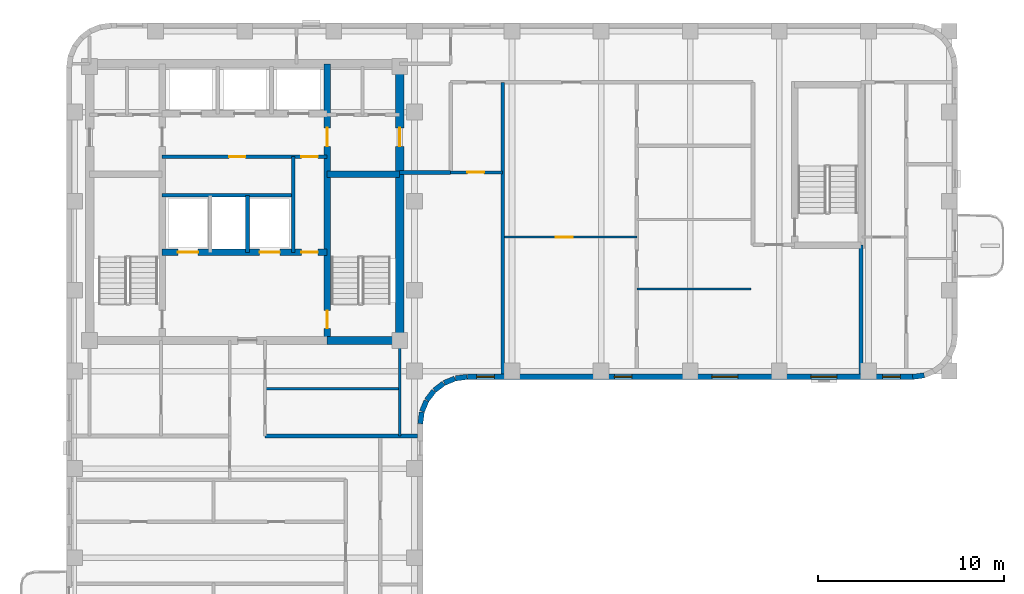
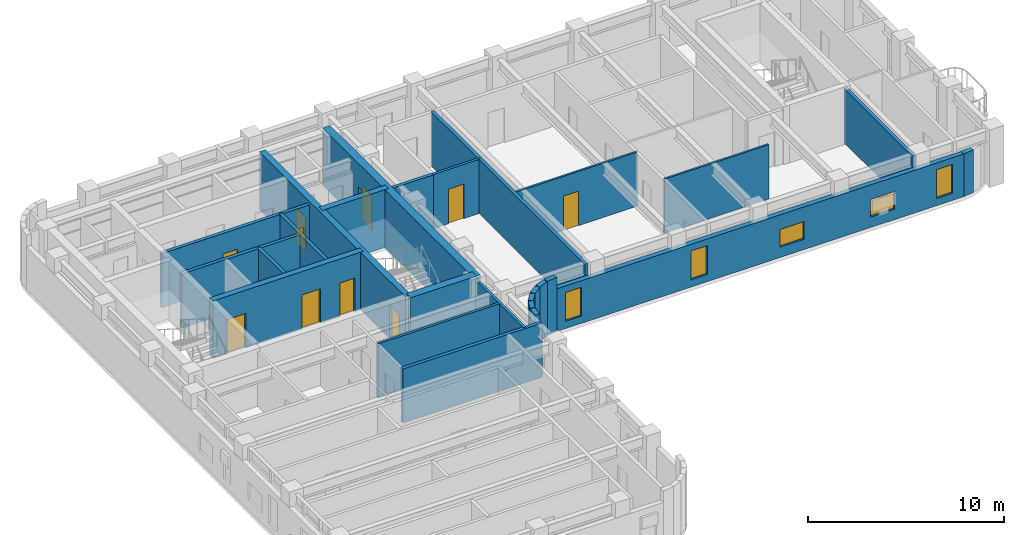
# One storey, part 4 of 10: 26 walls, 10 doors, 5 windows, 15 openings.
"""IFC4 building model written with IfcOpenShell, lengths in metres."""

from ifc_helpers import new_model, si_unit, direction, frame, frame_2d, origin, place, context, subcontext, project, spatial, rectangle, extrude, material, layer, layer_set, type_object, element, fill, save


model = new_model("IFC4")

# Units and contexts
model_context = context("Model", 3, precision=1e-05, world=origin(), true_north=direction((0.0, 1.0)))
body_context = subcontext(model_context, "Body", "Model", "MODEL_VIEW")
ifc_project = project(units=[si_unit("LENGTHUNIT", "METRE"), si_unit("AREAUNIT", "SQUARE_METRE"), si_unit("VOLUMEUNIT", "CUBIC_METRE"), si_unit("PLANEANGLEUNIT", "RADIAN"), si_unit("MASSUNIT", "GRAM", prefix="KILO")], contexts=[model_context])

# Site, building, storey
site_placement = place(None, origin())
site = spatial("IfcSite", under=ifc_project, at=site_placement, CompositionType="ELEMENT")
building_placement = place(site_placement, origin())
building = spatial("IfcBuilding", under=site, at=building_placement, Name="Orvandelia Arch Residences", CompositionType="ELEMENT")
storey_placement = place(building_placement, frame((0.0, 0.0, 232.60009765625)))
storey = spatial("IfcBuildingStorey", under=building, at=storey_placement, Name="L61", CompositionType="ELEMENT", Elevation=232.60009765625)

# Wall, openings, doors
ifc_material_1 = material(Name="Concrete C50/60", Category="concrete")
ifc_layer_1 = layer(ifc_material_1, 0.35009765625, Name="Concrete C50/60", Category="concrete")
ifc_layer_set_1 = layer_set([ifc_layer_1], Name="Concrete C50/60")
wall_type_1 = type_object("IfcWallType", Name="WL-CORE-350", PredefinedType="SHEAR", material=ifc_layer_set_1)
wall_1_placement = place(storey_placement, frame((18.840087890625, 30.89990234375, 0.0), z_axis=(0.0, 0.0, 1.0), x_axis=(0.0, 1.0, 0.0)))
wall_1 = element("IfcWall", 1, at=wall_1_placement, inside=storey, type_object=wall_type_1, Name="Core Shear Wall L61-WEB2", PredefinedType="SHEAR", context=body_context, shape_type="SweptSolid", body=[
    extrude(rectangle(XDim=14.900146484375, YDim=0.35009765625, at=frame_2d((7.4501953125, 0.0))), origin(), (0.0, 0.0, 1.0), 3.599853515625),
])
opening_1_placement = place(wall_1_placement, frame((0.64990234375, 0.0, 0.0)))
opening_1 = element("IfcOpeningElement", 2, at=opening_1_placement, cuts=wall_1, Name="Opening D7", PredefinedType="OPENING", context=body_context, shape_type="SweptSolid", body=[
    extrude(rectangle(XDim=0.949951171875, YDim=2.10009765625, at=frame_2d((0.47509765625, 1.050048828125))), frame((0.0, 0.18505859375, 0.0), z_axis=(0.0, -1.0, 0.0), x_axis=(1.0, 0.0, 0.0)), (0.0, 0.0, 1.0), 0.3701171875),
])
opening_2_placement = place(wall_1_placement, frame((10.449951171875, 0.0, 0.0)))
opening_2 = element("IfcOpeningElement", 3, at=opening_2_placement, cuts=wall_1, Name="Opening D6", PredefinedType="OPENING", context=body_context, shape_type="SweptSolid", body=[
    extrude(rectangle(XDim=1.0, YDim=2.14990234375, at=frame_2d((0.5, 1.074951171875))), frame((0.0, 0.18505859375, 0.0), z_axis=(0.0, -1.0, 0.0), x_axis=(1.0, 0.0, 0.0)), (0.0, 0.0, 1.0), 0.3701171875),
])
ifc_material_2 = material(Name="Smokeproof Painted Steel Fire Door", Category="steel")
door_type_1 = type_object("IfcDoorType", Name="DR-FD60-1000", OperationType="NOTDEFINED", PredefinedType="DOOR", material=ifc_material_2)
door_1_placement = place(opening_2_placement, origin())
door_1 = element("IfcDoor", 4, at=door_1_placement, inside=storey, type_object=door_type_1, Name="High-Rise Lift Hall East Vestibule Door L61", OperationType="SINGLE_SWING_RIGHT", OverallHeight=2.14990234375, OverallWidth=1.0, PredefinedType="DOOR", context=body_context, shape_type="SweptSolid", body=[
    extrude(rectangle(XDim=1.0, YDim=2.14990234375, at=frame_2d((0.5, 1.074951171875))), frame((0.0, 0.02490234375, 0.0), z_axis=(0.0, -1.0, 0.0), x_axis=(1.0, 0.0, 0.0)), (0.0, 0.0, 1.0), 0.050048828125),
])
fill(opening_2, door_1)
ifc_material_3 = material(Name="Pressurised Stairwell Fire Door")
door_type_2 = type_object("IfcDoorType", Name="DR-STAIR-950", OperationType="NOTDEFINED", PredefinedType="DOOR", material=ifc_material_3)
door_2_placement = place(opening_1_placement, origin())
door_2 = element("IfcDoor", 5, at=door_2_placement, inside=storey, type_object=door_type_2, Name="Stairwell ST-2 Fire Door L61", OperationType="SINGLE_SWING_RIGHT", OverallHeight=2.10009765625, OverallWidth=0.949951171875, PredefinedType="DOOR", context=body_context, shape_type="SweptSolid", body=[
    extrude(rectangle(XDim=0.949951171875, YDim=2.10009765625, at=frame_2d((0.47509765625, 1.050048828125))), frame((0.0, 0.02490234375, 0.0), z_axis=(0.0, -1.0, 0.0), x_axis=(1.0, 0.0, 0.0)), (0.0, 0.0, 1.0), 0.050048828125),
])
fill(opening_1, door_2)

# Wall
wall_2_placement = place(storey_placement, frame((18.840087890625, 39.85009765625, 0.0), z_axis=(0.0, 0.0, 1.0), x_axis=(1.0, 0.0, 0.0)))
element("IfcWall", 6, at=wall_2_placement, inside=storey, type_object=wall_type_1, Name="Core Shear Wall L61-HZ2", PredefinedType="SHEAR", context=body_context, shape_type="SweptSolid", body=[
    extrude(rectangle(XDim=3.909912109375, YDim=0.35009765625, at=frame_2d((1.955078125, 0.0))), origin(), (0.0, 0.0, 1.0), 3.599853515625),
])

# Wall, openings, doors
wall_3_placement = place(storey_placement, frame((9.9599609375, 35.64990234375, 0.0), z_axis=(0.0, 0.0, 1.0), x_axis=(1.0, 0.0, 0.0)))
wall_3 = element("IfcWall", 7, at=wall_3_placement, inside=storey, type_object=wall_type_1, Name="Core Shear Wall L61-HZ3", PredefinedType="SHEAR", context=body_context, shape_type="SweptSolid", body=[
    extrude(rectangle(XDim=8.880126953125, YDim=0.35009765625, at=frame_2d((4.43994140625, 0.0))), origin(), (0.0, 0.0, 1.0), 3.599853515625),
])
opening_3_placement = place(wall_3_placement, frame((0.840087890625, 0.0, 0.0)))
opening_3 = element("IfcOpeningElement", 8, at=opening_3_placement, cuts=wall_3, Name="Opening FLD", PredefinedType="OPENING", context=body_context, shape_type="SweptSolid", body=[
    extrude(rectangle(XDim=1.10009765625, YDim=2.14990234375, at=frame_2d((0.550048828125, 1.074951171875))), frame((0.0, 0.18505859375, 0.0), z_axis=(0.0, -1.0, 0.0), x_axis=(1.0, 0.0, 0.0)), (0.0, 0.0, 1.0), 0.3701171875),
])
opening_4_placement = place(wall_3_placement, frame((5.239990234375, 0.0, 0.0)))
opening_4 = element("IfcOpeningElement", 9, at=opening_4_placement, cuts=wall_3, Name="Opening FLD", PredefinedType="OPENING", context=body_context, shape_type="SweptSolid", body=[
    extrude(rectangle(XDim=1.10009765625, YDim=2.14990234375, at=frame_2d((0.550048828125, 1.074951171875))), frame((0.0, 0.18505859375, 0.0), z_axis=(0.0, -1.0, 0.0), x_axis=(1.0, 0.0, 0.0)), (0.0, 0.0, 1.0), 0.3701171875),
])
opening_5_placement = place(wall_3_placement, frame((7.5, 0.0, 0.0)))
opening_5 = element("IfcOpeningElement", 10, at=opening_5_placement, cuts=wall_3, Name="Opening D5", PredefinedType="OPENING", context=body_context, shape_type="SweptSolid", body=[
    extrude(rectangle(XDim=0.8798828125, YDim=2.10009765625, at=frame_2d((0.43994140625, 1.050048828125))), frame((0.0, 0.18505859375, 0.0), z_axis=(0.0, -1.0, 0.0), x_axis=(1.0, 0.0, 0.0)), (0.0, 0.0, 1.0), 0.3701171875),
])
ifc_material_4 = material(Name="Firefighting Lift Stainless Sliding Door")
door_type_3 = type_object("IfcDoorType", Name="DR-FLFT-1100", OperationType="NOTDEFINED", PredefinedType="DOOR", material=ifc_material_4)
door_3_placement = place(opening_3_placement, origin())
door_3 = element("IfcDoor", 11, at=door_3_placement, inside=storey, type_object=door_type_3, Name="Firefighting Lift Landing Door FLD-FL1-L61", OperationType="SLIDING_TO_LEFT", OverallHeight=2.14990234375, OverallWidth=1.10009765625, PredefinedType="DOOR", context=body_context, shape_type="SweptSolid", body=[
    extrude(rectangle(XDim=1.10009765625, YDim=2.14990234375, at=frame_2d((0.550048828125, 1.074951171875))), frame((0.0, 0.02490234375, 0.0), z_axis=(0.0, -1.0, 0.0), x_axis=(1.0, 0.0, 0.0)), (0.0, 0.0, 1.0), 0.050048828125),
])
fill(opening_3, door_3)
door_4_placement = place(opening_4_placement, origin())
door_4 = element("IfcDoor", 12, at=door_4_placement, inside=storey, type_object=door_type_3, Name="Firefighting Lift Landing Door FLD-FL2-L61", OperationType="SLIDING_TO_RIGHT", OverallHeight=2.14990234375, OverallWidth=1.10009765625, PredefinedType="DOOR", context=body_context, shape_type="SweptSolid", body=[
    extrude(rectangle(XDim=1.10009765625, YDim=2.14990234375, at=frame_2d((0.550048828125, 1.074951171875))), frame((0.0, 0.02490234375, 0.0), z_axis=(0.0, -1.0, 0.0), x_axis=(1.0, 0.0, 0.0)), (0.0, 0.0, 1.0), 0.050048828125),
])
fill(opening_4, door_4)
ifc_material_5 = material(Name="Painted Galvanised Steel Service Door", Category="steel")
door_type_4 = type_object("IfcDoorType", Name="DR-SRV-880", OperationType="NOTDEFINED", PredefinedType="DOOR", material=ifc_material_5)
door_5_placement = place(opening_5_placement, origin())
door_5 = element("IfcDoor", 13, at=door_5_placement, inside=storey, type_object=door_type_4, Name="Core Stairway Passage South Fire Door L61", OperationType="SINGLE_SWING_LEFT", OverallHeight=2.10009765625, OverallWidth=0.8798828125, PredefinedType="DOOR", context=body_context, shape_type="SweptSolid", body=[
    extrude(rectangle(XDim=0.8798828125, YDim=2.10009765625, at=frame_2d((0.43994140625, 1.050048828125))), frame((0.0, 0.02490234375, 0.0), z_axis=(0.0, -1.0, 0.0), x_axis=(1.0, 0.0, 0.0)), (0.0, 0.0, 1.0), 0.050048828125),
])
fill(opening_5, door_5)

# Wall, opening, door
ifc_layer_2 = layer(ifc_material_1, 0.449951171875, Name="Concrete C50/60", Category="concrete")
ifc_layer_set_2 = layer_set([ifc_layer_2], Name="Concrete C50/60")
wall_type_2 = type_object("IfcWallType", Name="WL-CORE-450", PredefinedType="SHEAR", material=ifc_layer_set_2)
wall_4_placement = place(storey_placement, frame((22.75, 30.675048828125, 0.0), z_axis=(0.0, 0.0, 1.0), x_axis=(0.0, 1.0, 0.0)))
wall_4 = element("IfcWall", 14, at=wall_4_placement, inside=storey, type_object=wall_type_2, Name="Core Shear Wall L61-E", PredefinedType="SHEAR", context=body_context, shape_type="SweptSolid", body=[
    extrude(rectangle(XDim=15.349853515625, YDim=0.449951171875, at=frame_2d((7.6748046875, 0.0))), origin(), (0.0, 0.0, 1.0), 3.599853515625),
])
opening_6_placement = place(wall_4_placement, frame((10.675048828125, 0.0, 0.0)))
opening_6 = element("IfcOpeningElement", 15, at=opening_6_placement, cuts=wall_4, Name="Opening D6", PredefinedType="OPENING", context=body_context, shape_type="SweptSolid", body=[
    extrude(rectangle(XDim=1.0, YDim=2.14990234375, at=frame_2d((0.5, 1.074951171875))), frame((0.0, 0.23486328125, 0.0), z_axis=(0.0, -1.0, 0.0), x_axis=(1.0, 0.0, 0.0)), (0.0, 0.0, 1.0), 0.469970703125),
])
door_6_placement = place(opening_6_placement, origin())
door_6 = element("IfcDoor", 16, at=door_6_placement, inside=storey, type_object=door_type_1, Name="Core East Corridor Link Door L61", OperationType="SINGLE_SWING_LEFT", OverallHeight=2.14990234375, OverallWidth=1.0, PredefinedType="DOOR", context=body_context, shape_type="SweptSolid", body=[
    extrude(rectangle(XDim=1.0, YDim=2.14990234375, at=frame_2d((0.5, 1.074951171875))), frame((0.0, 0.02490234375, 0.0), z_axis=(0.0, -1.0, 0.0), x_axis=(1.0, 0.0, 0.0)), (0.0, 0.0, 1.0), 0.050048828125),
])
fill(opening_6, door_6)

# Walls
wall_5_placement = place(storey_placement, frame((18.840087890625, 30.89990234375, 0.0), z_axis=(0.0, 0.0, 1.0), x_axis=(1.0, 0.0, 0.0)))
element("IfcWall", 17, at=wall_5_placement, inside=storey, type_object=wall_type_2, Name="Core Shear Wall L61-SE", PredefinedType="SHEAR", context=body_context, shape_type="SweptSolid", body=[
    extrude(rectangle(XDim=3.909912109375, YDim=0.449951171875, at=frame_2d((1.955078125, 0.0))), origin(), (0.0, 0.0, 1.0), 3.599853515625),
])
ifc_material_6 = material(Name="Fire-Rated Corridor Partition")
ifc_layer_3 = layer(ifc_material_6, 0.199951171875, Name="Fire-Rated Corridor Partition")
ifc_layer_set_3 = layer_set([ifc_layer_3], Name="Fire-Rated Corridor Partition")
wall_type_3 = type_object("IfcWallType", Name="WL-CORR-200", PredefinedType="PARTITIONING", material=ifc_layer_set_3)
wall_6_placement = place(storey_placement, frame((15.5, 25.75, 0.0), z_axis=(0.0, 0.0, 1.0), x_axis=(1.0, 0.0, 0.0)))
element("IfcWall", 18, at=wall_6_placement, inside=storey, type_object=wall_type_3, Name="Interior Partition Wall WL-L61-WLNK-NE", PredefinedType="PARTITIONING", context=body_context, shape_type="SweptSolid", body=[
    extrude(rectangle(XDim=8.219970703125, YDim=0.199951171875, at=frame_2d((4.10986328125, 0.0))), origin(), (0.0, 0.0, 1.0), 3.3798828125),
])
wall_7_placement = place(storey_placement, frame((22.75, 39.949951171875, 0.0), z_axis=(0.0, 0.0, 1.0), x_axis=(1.0, 0.0, 0.0)))
element("IfcWall", 19, at=wall_7_placement, inside=storey, type_object=wall_type_3, Name="Interior Partition Wall WL-L61-EN2-LS", PredefinedType="PARTITIONING", context=body_context, shape_type="SweptSolid", body=[
    extrude(rectangle(XDim=2.75, YDim=0.199951171875, at=frame_2d((1.375, 0.0))), origin(), (0.0, 0.0, 1.0), 3.3798828125),
])
ifc_material_7 = material(Name="Concrete C40/50", Category="concrete")
ifc_layer_4 = layer(ifc_material_7, 0.199951171875, Name="Concrete C40/50", Category="concrete")
ifc_layer_set_4 = layer_set([ifc_layer_4], Name="Concrete C40/50")
wall_type_4 = type_object("IfcWallType", Name="WL-DEM-200", PredefinedType="SOLIDWALL", material=ifc_layer_set_4)
wall_8_placement = place(storey_placement, frame((28.300048828125, 29.080078125, 0.0), z_axis=(0.0, 0.0, 1.0), x_axis=(0.0, 1.0, 0.0)))
element("IfcWall", 20, at=wall_8_placement, inside=storey, type_object=wall_type_4, Name="Interior Partition Wall WL-L61-EN2-KLE", PredefinedType="SOLIDWALL", context=body_context, shape_type="SweptSolid", body=[
    extrude(rectangle(XDim=15.719970703125, YDim=0.199951171875, at=frame_2d((7.85986328125, 0.0))), origin(), (0.0, 0.0, 1.0), 3.3798828125),
])
wall_9_placement = place(storey_placement, frame((47.60009765625, 29.080078125, 0.0), z_axis=(0.0, 0.0, 1.0), x_axis=(0.0, 1.0, 0.0)))
element("IfcWall", 21, at=wall_9_placement, inside=storey, type_object=wall_type_4, Name="Interior Partition Wall WL-L61-EN2-SLE", PredefinedType="SOLIDWALL", context=body_context, shape_type="SweptSolid", body=[
    extrude(rectangle(XDim=6.9599609375, YDim=0.199951171875, at=frame_2d((3.47998046875, 0.0))), origin(), (0.0, 0.0, 1.0), 3.3798828125),
])
ifc_material_8 = material(Name="Precast concrete C40/50", Category="concrete")
ifc_layer_5 = layer(ifc_material_8, 0.280029296875, Name="Precast concrete C40/50", Category="concrete")
ifc_layer_set_5 = layer_set([ifc_layer_5], Name="Precast concrete C40/50")
wall_type_5 = type_object("IfcWallType", Name="WL-EXT-STONE-280", PredefinedType="STANDARD", material=ifc_layer_set_5)
wall_10_placement = place(storey_placement, frame((51.0029296875, 29.0205078125, 0.0), z_axis=(0.0, 0.0, 1.0), x_axis=(-0.991447664465, -0.130504898859, 0.0)))
element("IfcWall", 22, at=wall_10_placement, inside=storey, type_object=wall_type_5, Name="Coral-Limestone Precast Facade Wall L61-020", PredefinedType="STANDARD", context=body_context, shape_type="SweptSolid", body=[
    extrude(rectangle(XDim=0.626708984375, YDim=0.280029296875, at=frame_2d((0.3134765625, 0.0))), origin(), (0.0, 0.0, 1.0), 2.659912109375),
])

# Wall, openings, windows
wall_11_placement = place(storey_placement, frame((50.39990234375, 28.93994140625, 0.0), z_axis=(0.0, 0.0, 1.0), x_axis=(-1.0, 0.0, 0.0)))
wall_11 = element("IfcWall", 23, at=wall_11_placement, inside=storey, type_object=wall_type_5, Name="Coral-Limestone Precast Facade Wall L61-021", PredefinedType="STANDARD", context=body_context, shape_type="SweptSolid", body=[
    extrude(rectangle(XDim=24.0, YDim=0.280029296875, at=frame_2d((12.0, 0.0))), origin(), (0.0, 0.0, 1.0), 2.659912109375),
])
opening_7_placement = place(wall_11_placement, frame((9.4375, 0.0, 0.64990234375)))
opening_7 = element("IfcOpeningElement", 24, at=opening_7_placement, cuts=wall_11, Name="Opening W10", PredefinedType="OPENING", context=body_context, shape_type="SweptSolid", body=[
    extrude(rectangle(XDim=1.39990234375, YDim=1.10009765625, at=frame_2d((0.699951171875, 0.550048828125))), frame((0.0, 0.14990234375, 0.0), z_axis=(0.0, -1.0, 0.0), x_axis=(1.0, 0.0, 0.0)), (0.0, 0.0, 1.0), 0.300048828125),
])
opening_8_placement = place(wall_11_placement, frame((22.554931640625, 0.0, 0.449951171875)))
opening_8 = element("IfcOpeningElement", 25, at=opening_8_placement, cuts=wall_11, Name="Opening W4", PredefinedType="OPENING", context=body_context, shape_type="SweptSolid", body=[
    extrude(rectangle(XDim=0.949951171875, YDim=1.800048828125, at=frame_2d((0.47509765625, 0.89990234375))), frame((0.0, 0.14990234375, 0.0), z_axis=(0.0, -1.0, 0.0), x_axis=(1.0, 0.0, 0.0)), (0.0, 0.0, 1.0), 0.300048828125),
])
opening_9_placement = place(wall_11_placement, frame((4.10009765625, 0.0, 0.64990234375)))
opening_9 = element("IfcOpeningElement", 26, at=opening_9_placement, cuts=wall_11, Name="Opening W10", PredefinedType="OPENING", context=body_context, shape_type="SweptSolid", body=[
    extrude(rectangle(XDim=1.39990234375, YDim=1.10009765625, at=frame_2d((0.699951171875, 0.550048828125))), frame((0.0, 0.14990234375, 0.0), z_axis=(0.0, -1.0, 0.0), x_axis=(1.0, 0.0, 0.0)), (0.0, 0.0, 1.0), 0.300048828125),
])
opening_10_placement = place(wall_11_placement, frame((15.138427734375, 0.0, 0.449951171875)))
opening_10 = element("IfcOpeningElement", 27, at=opening_10_placement, cuts=wall_11, Name="Opening W4", PredefinedType="OPENING", context=body_context, shape_type="SweptSolid", body=[
    extrude(rectangle(XDim=0.949951171875, YDim=1.800048828125, at=frame_2d((0.47509765625, 0.89990234375))), frame((0.0, 0.14990234375, 0.0), z_axis=(0.0, -1.0, 0.0), x_axis=(1.0, 0.0, 0.0)), (0.0, 0.0, 1.0), 0.300048828125),
])
opening_11_placement = place(wall_11_placement, frame((0.680908203125, 0.0, 0.449951171875)))
opening_11 = element("IfcOpeningElement", 28, at=opening_11_placement, cuts=wall_11, Name="Opening W4", PredefinedType="OPENING", context=body_context, shape_type="SweptSolid", body=[
    extrude(rectangle(XDim=0.949951171875, YDim=1.800048828125, at=frame_2d((0.47509765625, 0.89990234375))), frame((0.0, 0.14990234375, 0.0), z_axis=(0.0, -1.0, 0.0), x_axis=(1.0, 0.0, 0.0)), (0.0, 0.0, 1.0), 0.300048828125),
])
ifc_material_9 = material(Name="Tempered Low-E Insulated Glazing", Category="glass")
window_type_1 = type_object("IfcWindowType", Name="WIN-CLR-1400x1100", PartitioningType="SINGLE_PANEL", PredefinedType="WINDOW", material=ifc_material_9)
window_1_placement = place(opening_7_placement, origin())
window_1 = element("IfcWindow", 29, at=window_1_placement, inside=storey, type_object=window_type_1, Name="Recessed Punched Window L61-007", OverallHeight=1.10009765625, OverallWidth=1.39990234375, PartitioningType="SINGLE_PANEL", PredefinedType="WINDOW", context=body_context, shape_type="SweptSolid", body=[
    extrude(rectangle(XDim=1.39990234375, YDim=1.10009765625, at=frame_2d((0.699951171875, 0.550048828125))), frame((0.0, 0.030029296875, 0.0), z_axis=(0.0, -1.0, 0.0), x_axis=(1.0, 0.0, 0.0)), (0.0, 0.0, 1.0), 0.06005859375),
])
fill(opening_7, window_1)
window_2_placement = place(opening_9_placement, origin())
window_2 = element("IfcWindow", 30, at=window_2_placement, inside=storey, type_object=window_type_1, Name="Recessed Punched Window L61-009", OverallHeight=1.10009765625, OverallWidth=1.39990234375, PartitioningType="SINGLE_PANEL", PredefinedType="WINDOW", context=body_context, shape_type="SweptSolid", body=[
    extrude(rectangle(XDim=1.39990234375, YDim=1.10009765625, at=frame_2d((0.699951171875, 0.550048828125))), frame((0.0, 0.030029296875, 0.0), z_axis=(0.0, -1.0, 0.0), x_axis=(1.0, 0.0, 0.0)), (0.0, 0.0, 1.0), 0.06005859375),
])
fill(opening_9, window_2)
window_type_2 = type_object("IfcWindowType", Name="WIN-RES-0950x1800", PartitioningType="SINGLE_PANEL", PredefinedType="WINDOW", material=ifc_material_9)
window_3_placement = place(opening_8_placement, origin())
window_3 = element("IfcWindow", 31, at=window_3_placement, inside=storey, type_object=window_type_2, Name="Recessed Punched Window L61-008", OverallHeight=1.800048828125, OverallWidth=0.949951171875, PartitioningType="SINGLE_PANEL", PredefinedType="WINDOW", context=body_context, shape_type="SweptSolid", body=[
    extrude(rectangle(XDim=0.949951171875, YDim=1.800048828125, at=frame_2d((0.47509765625, 0.89990234375))), frame((0.0, 0.030029296875, 0.0), z_axis=(0.0, -1.0, 0.0), x_axis=(1.0, 0.0, 0.0)), (0.0, 0.0, 1.0), 0.06005859375),
])
fill(opening_8, window_3)
window_4_placement = place(opening_10_placement, origin())
window_4 = element("IfcWindow", 32, at=window_4_placement, inside=storey, type_object=window_type_2, Name="Recessed Punched Window L61-010", OverallHeight=1.800048828125, OverallWidth=0.949951171875, PartitioningType="SINGLE_PANEL", PredefinedType="WINDOW", context=body_context, shape_type="SweptSolid", body=[
    extrude(rectangle(XDim=0.949951171875, YDim=1.800048828125, at=frame_2d((0.47509765625, 0.89990234375))), frame((0.0, 0.030029296875, 0.0), z_axis=(0.0, -1.0, 0.0), x_axis=(1.0, 0.0, 0.0)), (0.0, 0.0, 1.0), 0.06005859375),
])
fill(opening_10, window_4)
window_5_placement = place(opening_11_placement, origin())
window_5 = element("IfcWindow", 33, at=window_5_placement, inside=storey, type_object=window_type_2, Name="Recessed Punched Window L61-011", OverallHeight=1.800048828125, OverallWidth=0.949951171875, PartitioningType="SINGLE_PANEL", PredefinedType="WINDOW", context=body_context, shape_type="SweptSolid", body=[
    extrude(rectangle(XDim=0.949951171875, YDim=1.800048828125, at=frame_2d((0.47509765625, 0.89990234375))), frame((0.0, 0.030029296875, 0.0), z_axis=(0.0, -1.0, 0.0), x_axis=(1.0, 0.0, 0.0)), (0.0, 0.0, 1.0), 0.06005859375),
])
fill(opening_11, window_5)

# Walls
wall_12_placement = place(storey_placement, frame((26.381591796875, 28.938720703125, 0.0), z_axis=(0.0, 0.0, 1.0), x_axis=(-0.9914410257, -0.130555323746, 0.0)))
element("IfcWall", 34, at=wall_12_placement, inside=storey, type_object=wall_type_5, Name="Coral-Limestone Precast Facade Wall L61-022", PredefinedType="STANDARD", context=body_context, shape_type="SweptSolid", body=[
    extrude(rectangle(XDim=0.62646484375, YDim=0.280029296875, at=frame_2d((0.313232421875, 0.0))), origin(), (0.0, 0.0, 1.0), 3.3798828125),
])
wall_13_placement = place(storey_placement, frame((25.72509765625, 28.847412109375, 0.0), z_axis=(0.0, 0.0, 1.0), x_axis=(-0.923974080304, -0.382455093999, 0.0)))
element("IfcWall", 35, at=wall_13_placement, inside=storey, type_object=wall_type_5, Name="Coral-Limestone Precast Facade Wall L61-023", PredefinedType="STANDARD", context=body_context, shape_type="SweptSolid", body=[
    extrude(rectangle(XDim=0.626220703125, YDim=0.280029296875, at=frame_2d((0.31298828125, 0.0))), origin(), (0.0, 0.0, 1.0), 3.3798828125),
])
for number, where, z_axis, x_axis, name in (
    (36, (25.11474609375, 28.589599609375, 0.0), (0.0, 0.0, 1.0), (-0.793405610854, -0.608693302629, 0.0), "Coral-Limestone Precast Facade Wall L61-024"),
    (37, (24.591796875, 28.182373046875, 0.0), (0.0, 0.0, 1.0), (-0.608693302629, -0.793405610854, 0.0), "Coral-Limestone Precast Facade Wall L61-025"),
    (38, (24.192138671875, 27.653564453125, 0.0), (0.0, 0.0, 1.0), (-0.382650053678, -0.92389335771, 0.0), "Coral-Limestone Precast Facade Wall L61-026"),
):
    element("IfcWall", number, at=place(storey_placement, frame(where, z_axis=z_axis, x_axis=x_axis)), inside=storey, type_object=wall_type_5, Name=name, PredefinedType="STANDARD", context=body_context, shape_type="SweptSolid", body=[
        extrude(rectangle(XDim=0.62646484375, YDim=0.280029296875, at=frame_2d((0.313232421875, 0.0))), origin(), (0.0, 0.0, 1.0), 3.3798828125),
    ])
wall_14_placement = place(storey_placement, frame((23.943115234375, 27.03955078125, 0.0), z_axis=(0.0, 0.0, 1.0), x_axis=(-0.130887801573, -0.991397187508, 0.0)))
element("IfcWall", 39, at=wall_14_placement, inside=storey, type_object=wall_type_5, Name="Coral-Limestone Precast Facade Wall L61-027", PredefinedType="STANDARD", context=body_context, shape_type="SweptSolid", body=[
    extrude(rectangle(XDim=0.626708984375, YDim=0.280029296875, at=frame_2d((0.3134765625, 0.0))), origin(), (0.0, 0.0, 1.0), 3.3798828125),
])

# Wall, opening, door
ifc_material_10 = material(Name="Lightweight Gypsum Stud Partition")
ifc_layer_6 = layer(ifc_material_10, 0.1201171875, Name="Lightweight Gypsum Stud Partition")
ifc_layer_set_6 = layer_set([ifc_layer_6], Name="Lightweight Gypsum Stud Partition")
wall_type_6 = type_object("IfcWallType", Name="WL-PART-120", PredefinedType="PARTITIONING", material=ifc_layer_set_6)
wall_15_placement = place(storey_placement, frame((28.39990234375, 36.468017578125, 0.0), z_axis=(0.0, 0.0, 1.0), x_axis=(1.0, 0.0, 0.0)))
wall_15 = element("IfcWall", 40, at=wall_15_placement, inside=storey, type_object=wall_type_6, Name="Interior Partition Wall WL-L61-U04-DIN", PredefinedType="PARTITIONING", context=body_context, shape_type="SweptSolid", body=[
    extrude(rectangle(XDim=7.128173828125, YDim=0.1201171875, at=frame_2d((3.56396484375, 0.0))), origin(), (0.0, 0.0, 1.0), 3.3798828125),
])
opening_12_placement = place(wall_15_placement, frame((2.7666015625, 0.0, 0.0)))
opening_12 = element("IfcOpeningElement", 41, at=opening_12_placement, cuts=wall_15, Name="Opening D3", PredefinedType="OPENING", context=body_context, shape_type="SweptSolid", body=[
    extrude(rectangle(XDim=0.89990234375, YDim=2.14990234375, at=frame_2d((0.449951171875, 1.074951171875))), frame((0.0, 0.070068359375, 0.0), z_axis=(0.0, -1.0, 0.0), x_axis=(1.0, 0.0, 0.0)), (0.0, 0.0, 1.0), 0.14013671875),
])
ifc_material_11 = material(Name="Engineered Timber Flush Door", Category="wood")
door_type_5 = type_object("IfcDoorType", Name="DR-INT-900", OperationType="NOTDEFINED", PredefinedType="DOOR", material=ifc_material_11)
door_7_placement = place(opening_12_placement, origin())
door_7 = element("IfcDoor", 42, at=door_7_placement, inside=storey, type_object=door_type_5, Name="DR-L61-U04-DIN", OperationType="SINGLE_SWING_LEFT", OverallHeight=2.14990234375, OverallWidth=0.89990234375, PredefinedType="DOOR", context=body_context, shape_type="SweptSolid", body=[
    extrude(rectangle(XDim=0.89990234375, YDim=2.14990234375, at=frame_2d((0.449951171875, 1.074951171875))), frame((0.0, 0.02490234375, 0.0), z_axis=(0.0, -1.0, 0.0), x_axis=(1.0, 0.0, 0.0)), (0.0, 0.0, 1.0), 0.050048828125),
])
fill(opening_12, door_7)

# Walls
wall_16_placement = place(storey_placement, frame((35.528076171875, 33.6708984375, 0.0), z_axis=(0.0, 0.0, 1.0), x_axis=(1.0, 0.0, 0.0)))
element("IfcWall", 43, at=wall_16_placement, inside=storey, type_object=wall_type_6, Name="Interior Partition Wall WL-L61-U04-H1", PredefinedType="PARTITIONING", context=body_context, shape_type="SweptSolid", body=[
    extrude(rectangle(XDim=6.15185546875, YDim=0.1201171875, at=frame_2d((3.075927734375, 0.0))), origin(), (0.0, 0.0, 1.0), 3.3798828125),
])
ifc_material_12 = material(Name="Acoustic Gypsum Stud Partition")
ifc_layer_7 = layer(ifc_material_12, 0.14990234375, Name="Acoustic Gypsum Stud Partition")
ifc_layer_set_7 = layer_set([ifc_layer_7], Name="Acoustic Gypsum Stud Partition")
wall_type_7 = type_object("IfcWallType", Name="WL-PART-150", PredefinedType="PARTITIONING", material=ifc_layer_set_7)
wall_17_placement = place(storey_placement, frame((22.75, 25.75, 0.0), z_axis=(0.0, 0.0, 1.0), x_axis=(0.0, 1.0, 0.0)))
element("IfcWall", 44, at=wall_17_placement, inside=storey, type_object=wall_type_7, Name="Interior Partition Wall WL-L61-HI-WE", PredefinedType="PARTITIONING", context=body_context, shape_type="SweptSolid", body=[
    extrude(rectangle(XDim=5.14990234375, YDim=0.14990234375, at=frame_2d((2.574951171875, 0.0))), origin(), (0.0, 0.0, 1.0), 3.3798828125),
])
wall_18_placement = place(storey_placement, frame((15.5, 28.300048828125, 0.0), z_axis=(0.0, 0.0, 1.0), x_axis=(1.0, 0.0, 0.0)))
element("IfcWall", 45, at=wall_18_placement, inside=storey, type_object=wall_type_7, Name="Interior Partition Wall WL-L61-HIR-H2", PredefinedType="PARTITIONING", context=body_context, shape_type="SweptSolid", body=[
    extrude(rectangle(XDim=7.25, YDim=0.14990234375, at=frame_2d((3.625, 0.0))), origin(), (0.0, 0.0, 1.0), 3.3798828125),
])

# Wall, opening, door
wall_19_placement = place(storey_placement, frame((25.5, 39.949951171875, 0.0), z_axis=(0.0, 0.0, 1.0), x_axis=(1.0, 0.0, 0.0)))
wall_19 = element("IfcWall", 46, at=wall_19_placement, inside=storey, type_object=wall_type_7, Name="Interior Partition Wall WL-L61-EN2-KLN", PredefinedType="PARTITIONING", context=body_context, shape_type="SweptSolid", body=[
    extrude(rectangle(XDim=2.800048828125, YDim=0.14990234375, at=frame_2d((1.39990234375, 0.0))), origin(), (0.0, 0.0, 1.0), 3.3798828125),
])
opening_13_placement = place(wall_19_placement, frame((0.89990234375, 0.0, 0.0)))
opening_13 = element("IfcOpeningElement", 47, at=opening_13_placement, cuts=wall_19, Name="Opening D3", PredefinedType="OPENING", context=body_context, shape_type="SweptSolid", body=[
    extrude(rectangle(XDim=0.89990234375, YDim=2.14990234375, at=frame_2d((0.449951171875, 1.074951171875))), frame((0.0, 0.0849609375, 0.0), z_axis=(0.0, -1.0, 0.0), x_axis=(1.0, 0.0, 0.0)), (0.0, 0.0, 1.0), 0.169921875),
])
door_8_placement = place(opening_13_placement, origin())
door_8 = element("IfcDoor", 48, at=door_8_placement, inside=storey, type_object=door_type_5, Name="DR-L61-EN2KNK", OperationType="SINGLE_SWING_RIGHT", OverallHeight=2.14990234375, OverallWidth=0.89990234375, PredefinedType="DOOR", context=body_context, shape_type="SweptSolid", body=[
    extrude(rectangle(XDim=0.89990234375, YDim=2.14990234375, at=frame_2d((0.449951171875, 1.074951171875))), frame((0.0, 0.02490234375, 0.0), z_axis=(0.0, -1.0, 0.0), x_axis=(1.0, 0.0, 0.0)), (0.0, 0.0, 1.0), 0.050048828125),
])
fill(opening_13, door_8)

# Walls
ifc_material_13 = material(Name="Fire-Rated Shaft Enclosure Wall")
ifc_layer_8 = layer(ifc_material_13, 0.199951171875, Name="Fire-Rated Shaft Enclosure Wall")
ifc_layer_set_8 = layer_set([ifc_layer_8], Name="Fire-Rated Shaft Enclosure Wall")
wall_type_8 = type_object("IfcWallType", Name="WL-SHAFT-200", PredefinedType="POLYGONAL", material=ifc_layer_set_8)
wall_20_placement = place(storey_placement, frame((9.9599609375, 38.719970703125, 0.0), z_axis=(0.0, 0.0, 1.0), x_axis=(1.0, 0.0, 0.0)))
element("IfcWall", 49, at=wall_20_placement, inside=storey, type_object=wall_type_8, Name="Interior Partition Wall WL-L61-FLN", PredefinedType="POLYGONAL", context=body_context, shape_type="SweptSolid", body=[
    extrude(rectangle(XDim=7.06005859375, YDim=0.199951171875, at=frame_2d((3.530029296875, 0.0))), origin(), (0.0, 0.0, 1.0), 3.3798828125),
])
wall_21_placement = place(storey_placement, frame((14.550048828125, 35.64990234375, 0.0), z_axis=(0.0, 0.0, 1.0), x_axis=(0.0, 1.0, 0.0)))
element("IfcWall", 50, at=wall_21_placement, inside=storey, type_object=wall_type_8, Name="Interior Partition Wall WL-L61-FLM2", PredefinedType="POLYGONAL", context=body_context, shape_type="SweptSolid", body=[
    extrude(rectangle(XDim=3.070068359375, YDim=0.199951171875, at=frame_2d((1.53515625, 0.0))), origin(), (0.0, 0.0, 1.0), 3.3798828125),
])
wall_22_placement = place(storey_placement, frame((17.02001953125, 35.64990234375, 0.0), z_axis=(0.0, 0.0, 1.0), x_axis=(0.0, 1.0, 0.0)))
element("IfcWall", 51, at=wall_22_placement, inside=storey, type_object=wall_type_8, Name="Interior Partition Wall WL-L61-FLM3", PredefinedType="POLYGONAL", context=body_context, shape_type="SweptSolid", body=[
    extrude(rectangle(XDim=5.150146484375, YDim=0.199951171875, at=frame_2d((2.5751953125, 0.0))), origin(), (0.0, 0.0, 1.0), 3.3798828125),
])

# Wall, openings, doors
wall_23_placement = place(storey_placement, frame((9.9599609375, 40.800048828125, 0.0), z_axis=(0.0, 0.0, 1.0), x_axis=(1.0, 0.0, 0.0)))
wall_23 = element("IfcWall", 52, at=wall_23_placement, inside=storey, type_object=wall_type_8, Name="Interior Partition Wall WL-L61-HLH-S", PredefinedType="POLYGONAL", context=body_context, shape_type="SweptSolid", body=[
    extrude(rectangle(XDim=8.880126953125, YDim=0.199951171875, at=frame_2d((4.43994140625, 0.0))), origin(), (0.0, 0.0, 1.0), 3.3798828125),
])
opening_14_placement = place(wall_23_placement, frame((7.5, 0.0, 0.0)))
opening_14 = element("IfcOpeningElement", 53, at=opening_14_placement, cuts=wall_23, Name="Opening D5", PredefinedType="OPENING", context=body_context, shape_type="SweptSolid", body=[
    extrude(rectangle(XDim=0.8798828125, YDim=2.10009765625, at=frame_2d((0.43994140625, 1.050048828125))), frame((0.0, 0.10986328125, 0.0), z_axis=(0.0, -1.0, 0.0), x_axis=(1.0, 0.0, 0.0)), (0.0, 0.0, 1.0), 0.219970703125),
])
opening_15_placement = place(wall_23_placement, frame((3.60009765625, 0.0, 0.0)))
opening_15 = element("IfcOpeningElement", 54, at=opening_15_placement, cuts=wall_23, Name="Opening D5", PredefinedType="OPENING", context=body_context, shape_type="SweptSolid", body=[
    extrude(rectangle(XDim=0.8798828125, YDim=2.10009765625, at=frame_2d((0.43994140625, 1.050048828125))), frame((0.0, 0.10986328125, 0.0), z_axis=(0.0, -1.0, 0.0), x_axis=(1.0, 0.0, 0.0)), (0.0, 0.0, 1.0), 0.219970703125),
])
door_9_placement = place(opening_14_placement, origin())
door_9 = element("IfcDoor", 55, at=door_9_placement, inside=storey, type_object=door_type_4, Name="Core Stairway Passage North Fire Door L61", OperationType="SINGLE_SWING_RIGHT", OverallHeight=2.10009765625, OverallWidth=0.8798828125, PredefinedType="DOOR", context=body_context, shape_type="SweptSolid", body=[
    extrude(rectangle(XDim=0.8798828125, YDim=2.10009765625, at=frame_2d((0.43994140625, 1.050048828125))), frame((0.0, 0.02490234375, 0.0), z_axis=(0.0, -1.0, 0.0), x_axis=(1.0, 0.0, 0.0)), (0.0, 0.0, 1.0), 0.050048828125),
])
fill(opening_14, door_9)
door_10_placement = place(opening_15_placement, origin())
door_10 = element("IfcDoor", 56, at=door_10_placement, inside=storey, type_object=door_type_4, Name="DR-L61-CSA1", OperationType="SINGLE_SWING_LEFT", OverallHeight=2.10009765625, OverallWidth=0.8798828125, PredefinedType="DOOR", context=body_context, shape_type="SweptSolid", body=[
    extrude(rectangle(XDim=0.8798828125, YDim=2.10009765625, at=frame_2d((0.43994140625, 1.050048828125))), frame((0.0, 0.02490234375, 0.0), z_axis=(0.0, -1.0, 0.0), x_axis=(1.0, 0.0, 0.0)), (0.0, 0.0, 1.0), 0.050048828125),
])
fill(opening_15, door_10)

save(model, "model.ifc")
